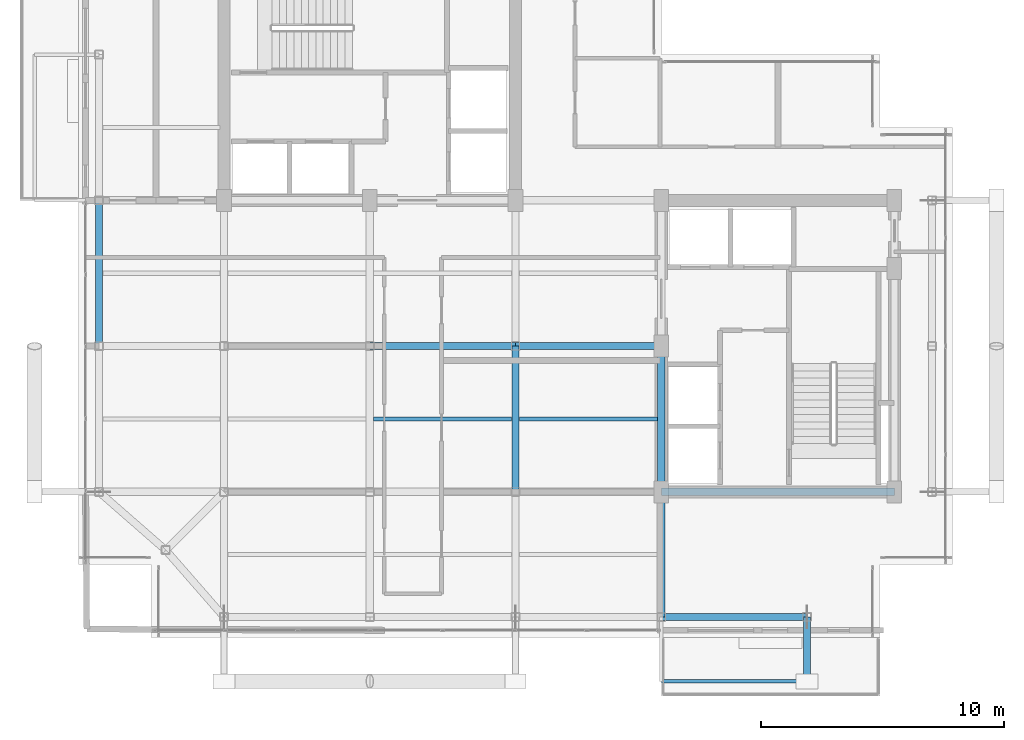
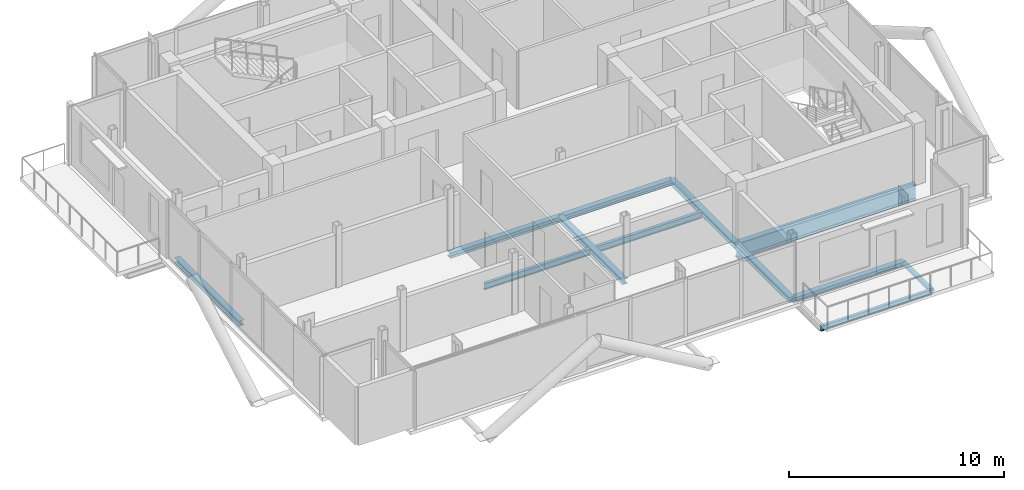
# One storey, part 6 of 19: 11 beams, 1 member.
"""IFC4 building model written with IfcOpenShell, lengths in metres."""

from ifc_helpers import new_model, si_unit, direction, frame, origin, origin_2d, place, context, subcontext, project, spatial, hollow_circle, i_section, extrude, material, material_profile, profile_set, type_object, element, save


model = new_model("IFC4")

# Units and contexts
model_context = context("Model", 3, precision=1e-05, world=origin(), true_north=direction((0.0, 1.0)))
body_context = subcontext(model_context, "Body", "Model", "MODEL_VIEW")
ifc_project = project(units=[si_unit("LENGTHUNIT", "METRE"), si_unit("AREAUNIT", "SQUARE_METRE"), si_unit("VOLUMEUNIT", "CUBIC_METRE"), si_unit("PLANEANGLEUNIT", "RADIAN"), si_unit("MASSUNIT", "GRAM", prefix="KILO"), si_unit("THERMODYNAMICTEMPERATUREUNIT", "KELVIN"), si_unit("POWERUNIT", "WATT")], contexts=[model_context])

# Site, building, storey
site_placement = place(None, origin())
site = spatial("IfcSite", under=ifc_project, at=site_placement, CompositionType="ELEMENT")
building_placement = place(site_placement, origin())
building = spatial("IfcBuilding", under=site, at=building_placement, Name="Svarakhadi Broadcast Tower", CompositionType="ELEMENT")
storey_placement = place(building_placement, frame((0.0, 0.0, 285.199951171875)))
storey = spatial("IfcBuildingStorey", under=building, at=storey_placement, Name="L72", CompositionType="ELEMENT", Elevation=285.199951171875)

# Beams
ifc_material_1 = material(Name="Steel S355J2 (IS 2062 E350C)", Category="steel")
ifc_material_profile_1 = material_profile(ifc_material_1, i_section(OverallWidth=0.169921875, OverallDepth=0.360107421875, WebThickness=0.008056640625, FlangeThickness=0.0126953125, FilletRadius=0.01806640625, at=origin_2d()), Name="NPB 360x170x57")
ifc_profile_set_1 = profile_set([ifc_material_profile_1], Name="Steel S355J2 (IS 2062 E350C)")
beam_type_1 = type_object("IfcBeamType", Name="Beam_NPB360", PredefinedType="BEAM", material=ifc_profile_set_1)
for number, where, z_axis, x_axis, name in (
    (1, (12.159912109375, 9.0, -0.3798828125), (1.0, 0.0, 0.0), (0.0, 1.0, 0.0), "L72 Secondary Composite Beam SB008"),
    (2, (18.159912109375, 9.0, -0.3798828125), (1.0, 0.0, 0.0), (0.0, 1.0, 0.0), "L72 Secondary Composite Beam SB011"),
):
    element("IfcBeam", number, at=place(storey_placement, frame(where, z_axis=z_axis, x_axis=x_axis)), inside=storey, type_object=beam_type_1, Name=name, PredefinedType="BEAM", context=body_context, shape_type="SweptSolid", body=[
        extrude(i_section(OverallWidth=0.169921875, OverallDepth=0.360107421875, WebThickness=0.008056640625, FlangeThickness=0.0126953125, FilletRadius=0.01806640625, at=origin_2d()), origin(), (0.0, 0.0, 1.0), 5.68017578125),
    ])

# Member
ifc_material_2 = material(Name="Steel S460ML (IS 2062 E450BR)", Category="steel")
ifc_material_profile_2 = material_profile(ifc_material_2, hollow_circle(Radius=0.136474609375, WallThickness=0.012451171875, at=origin_2d()), Name="CHS 273x12.5")
ifc_profile_set_2 = profile_set([ifc_material_profile_2], Name="Steel S460ML (IS 2062 E450BR)")
member_type = type_object("IfcMemberType", Name="Exo_Radial_Strut_Z3", PredefinedType="STRUT", material=ifc_profile_set_2)
member_placement = place(storey_placement, frame((30.0, -1.800048828125, -0.33642578125), z_axis=(0.0, 1.0, 0.0), x_axis=(-1.0, 0.0, 0.0)))
element("IfcMember", 3, at=member_placement, inside=storey, type_object=member_type, Name="L72 Exoskeleton Radial Tie Strut S03", PredefinedType="STRUT", context=body_context, shape_type="SweptSolid", body=[
    extrude(hollow_circle(Radius=0.136474609375, WallThickness=0.012451171875, at=origin_2d()), origin(), (0.0, 0.0, 1.0), 2.650146484375),
])

# Beams
ifc_material_profile_3 = material_profile(ifc_material_1, i_section(OverallWidth=0.300048828125, OverallDepth=0.300048828125, WebThickness=0.010986328125, FlangeThickness=0.01904296875, FilletRadius=0.027099609375, at=origin_2d()), Name="WPB 300x300x117")
ifc_profile_set_3 = profile_set([ifc_material_profile_3], Name="Steel S355J2 (IS 2062 E350C)")
beam_type_2 = type_object("IfcBeamType", Name="Girder_WPB300", PredefinedType="USERDEFINED", material=ifc_profile_set_3)
for number, where, z_axis, x_axis, name in (
    (4, (24.0, 0.85009765625, -0.349853515625), (1.0, 0.0, 0.0), (0.0, 1.0, 0.0), "L72 Primary E-W Girder G007"),
    (5, (12.0, 12.0, -0.349853515625), (1.0, 0.0, 0.0), (0.0, 1.0, 0.0), "L72 Primary E-W Girder G015"),
    (6, (18.0, 12.0, -0.349853515625), (1.0, 0.0, 0.0), (0.0, 1.0, 0.0), "L72 Primary E-W Girder G016"),
    (7, (0.85009765625, 12.0, -0.349853515625), (0.0, 1.0, 0.0), (-1.0, 0.0, 0.0), "L72 Primary N-S Girder G027"),
    (8, (18.0, 6.0, -0.349853515625), (0.0, 1.0, 0.0), (-1.0, 0.0, 0.0), "L72 Primary N-S Girder G037"),
):
    element("IfcBeam", number, at=place(storey_placement, frame(where, z_axis=z_axis, x_axis=x_axis)), inside=storey, type_object=beam_type_2, Name=name, ObjectType="GIRDER", PredefinedType="USERDEFINED", context=body_context, shape_type="SweptSolid", body=[
        extrude(i_section(OverallWidth=0.300048828125, OverallDepth=0.300048828125, WebThickness=0.010986328125, FlangeThickness=0.01904296875, FilletRadius=0.027099609375, at=origin_2d()), origin(), (0.0, 0.0, 1.0), 6.0),
    ])
beam_1_placement = place(storey_placement, frame((24.0, 0.85009765625, -0.349853515625), z_axis=(0.0, 1.0, 0.0), x_axis=(-1.0, 0.0, 0.0)))
element("IfcBeam", 9, at=beam_1_placement, inside=storey, type_object=beam_type_2, Name="L72 Primary N-S Girder G040", ObjectType="GIRDER", PredefinedType="USERDEFINED", context=body_context, shape_type="SweptSolid", body=[
    extrude(i_section(OverallWidth=0.300048828125, OverallDepth=0.300048828125, WebThickness=0.010986328125, FlangeThickness=0.01904296875, FilletRadius=0.027099609375, at=origin_2d()), origin(), (0.0, 0.0, 1.0), 5.14990234375),
])
beam_2_placement = place(storey_placement, frame((24.0, 6.0, -0.349853515625), z_axis=(0.0, 1.0, 0.0), x_axis=(-1.0, 0.0, 0.0)))
element("IfcBeam", 10, at=beam_2_placement, inside=storey, type_object=beam_type_2, Name="L72 Primary N-S Girder G041", ObjectType="GIRDER", PredefinedType="USERDEFINED", context=body_context, shape_type="SweptSolid", body=[
    extrude(i_section(OverallWidth=0.300048828125, OverallDepth=0.300048828125, WebThickness=0.010986328125, FlangeThickness=0.01904296875, FilletRadius=0.027099609375, at=origin_2d()), origin(), (0.0, 0.0, 1.0), 6.0),
])
ifc_material_profile_4 = material_profile(ifc_material_2, i_section(OverallWidth=0.300048828125, OverallDepth=0.89990234375, WebThickness=0.0185546875, FlangeThickness=0.034912109375, FilletRadius=0.030029296875, at=origin_2d()), Name="WPB 900x300x291")
ifc_profile_set_4 = profile_set([ifc_material_profile_4], Name="Steel S460ML (IS 2062 E450BR)")
beam_type_3 = type_object("IfcBeamType", Name="Girder_WPB900", PredefinedType="USERDEFINED", material=ifc_profile_set_4)
beam_3_placement = place(storey_placement, frame((24.0, 6.0, -0.64990234375), z_axis=(1.0, 0.0, 0.0), x_axis=(0.0, 1.0, 0.0)))
element("IfcBeam", 11, at=beam_3_placement, inside=storey, type_object=beam_type_3, Name="L72 Primary E-W Girder G012", ObjectType="GIRDER", PredefinedType="USERDEFINED", context=body_context, shape_type="SweptSolid", body=[
    extrude(i_section(OverallWidth=0.300048828125, OverallDepth=0.89990234375, WebThickness=0.0185546875, FlangeThickness=0.034912109375, FilletRadius=0.030029296875, at=origin_2d()), origin(), (0.0, 0.0, 1.0), 9.60009765625),
])
ifc_material_profile_5 = material_profile(ifc_material_1, i_section(OverallWidth=0.14990234375, OverallDepth=0.300048828125, WebThickness=0.007080078125, FlangeThickness=0.0107421875, FilletRadius=0.014892578125, at=origin_2d()), Name="NPB 300x150x37")
ifc_profile_set_5 = profile_set([ifc_material_profile_5], Name="Steel S355J2 (IS 2062 E350C)")
beam_type_4 = type_object("IfcBeamType", Name="Spandrel_NPB300", PredefinedType="SPANDREL", material=ifc_profile_set_5)
beam_4_placement = place(storey_placement, frame((24.0, -1.800048828125, -0.375), z_axis=(1.0, 0.0, 0.0), x_axis=(0.0, 1.0, 0.0)))
element("IfcBeam", 12, at=beam_4_placement, inside=storey, type_object=beam_type_4, Name="L72 Balcony Outer Spandrel 1F", PredefinedType="SPANDREL", context=body_context, shape_type="SweptSolid", body=[
    extrude(i_section(OverallWidth=0.14990234375, OverallDepth=0.300048828125, WebThickness=0.007080078125, FlangeThickness=0.0107421875, FilletRadius=0.014892578125, at=origin_2d()), origin(), (0.0, 0.0, 1.0), 6.0),
])

save(model, "model.ifc")
